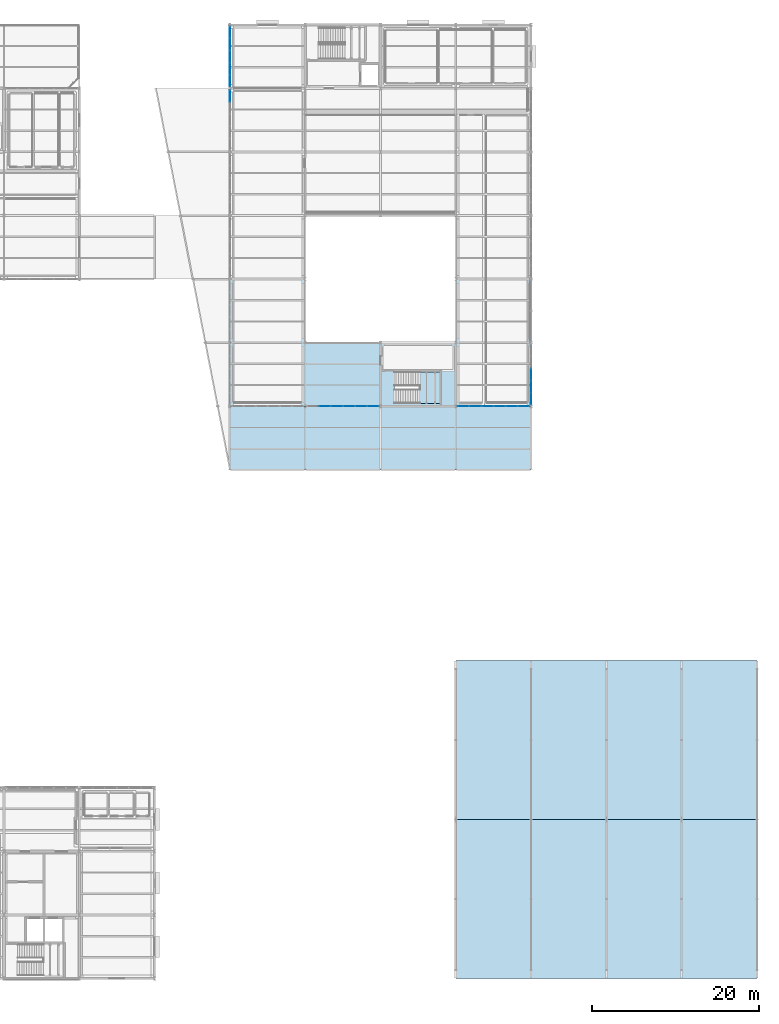
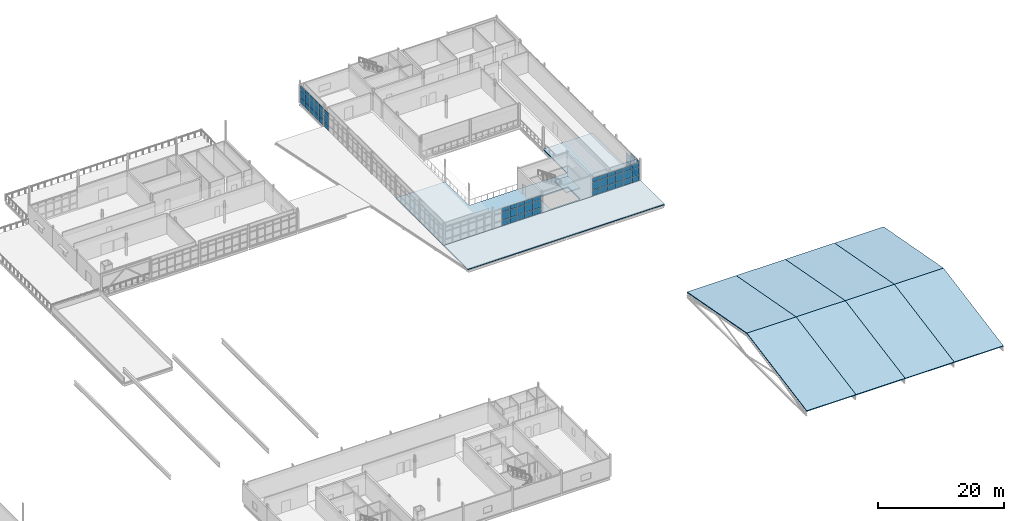
# One storey, part 73 of 96: 59 plates, 11 slabs, 6 elements without a shape of their own.
"""IFC4 building model written with IfcOpenShell, lengths in metres."""

from ifc_helpers import new_model, si_unit, direction, frame, origin, origin_2d, place, context, subcontext, project, spatial, polyline, rectangle, outline, extrude, material, layer, layer_set, type_object, element, aggregate, save


model = new_model("IFC4")

# Units and contexts
model_context = context("Model", 3, precision=1e-05, world=origin(), true_north=direction((0.0, 1.0)))
body_context = subcontext(model_context, "Body", "Model", "MODEL_VIEW")
ifc_project = project(units=[si_unit("LENGTHUNIT", "METRE"), si_unit("AREAUNIT", "SQUARE_METRE"), si_unit("VOLUMEUNIT", "CUBIC_METRE"), si_unit("PLANEANGLEUNIT", "RADIAN"), si_unit("MASSUNIT", "GRAM", prefix="KILO")], contexts=[model_context])

# Site, building, storey
site_placement = place(None, origin())
site = spatial("IfcSite", under=ifc_project, at=site_placement, CompositionType="ELEMENT")
building_placement = place(site_placement, origin())
building = spatial("IfcBuilding", under=site, at=building_placement, Name="Caisbarro Railhouse Central Library", CompositionType="ELEMENT")
storey_placement = place(building_placement, frame((0.0, 0.0, 13.679931640625)))
storey = spatial("IfcBuildingStorey", under=building, at=storey_placement, Name="L03", CompositionType="ELEMENT", Elevation=13.679931640625)

# Curtain wall, plates
ifc_material_1 = material(Name="Anodised architectural aluminium", Category="aluminium")
curtain_wall_type_1 = type_object("IfcCurtainWallType", Name="CW-CW03", PredefinedType="NOTDEFINED", material=ifc_material_1)
curtain_wall_1_placement = place(storey_placement, origin())
curtain_wall_1 = element("IfcCurtainWall", 1, at=curtain_wall_1_placement, inside=storey, type_object=curtain_wall_type_1, Name="CW03 curtain wall L03 #151", PredefinedType="NOTDEFINED")
ifc_material_2 = material(Name="Double low-e laminated solar-control glass", Category="glass")
ifc_layer_1 = layer(ifc_material_2, 0.01806640625, Name="Double low-e laminated solar-control glass")
ifc_layer_set_1 = layer_set([ifc_layer_1], Name="Double low-e laminated solar-control glass")
plate_type_1 = type_object("IfcPlateType", Name="CWP-CP18", PredefinedType="CURTAIN_PANEL", material=ifc_layer_set_1)
plate_1_placement = place(storey_placement, frame((153.0, 69.30419921875, 0.065185546875), z_axis=(0.0, 0.0, 1.0), x_axis=(0.0, 1.0, 0.0)))
plate_1 = element("IfcPlate", 2, at=plate_1_placement, type_object=plate_type_1, Name="CW03 panel 1.1", PredefinedType="CURTAIN_PANEL", context=body_context, shape_type="SweptSolid", body=[
    extrude(rectangle(XDim=1.3583984375, YDim=0.01806640625, at=origin_2d()), origin(), (0.0, 0.0, 1.0), 1.0224609375),
])
plate_2_placement = place(storey_placement, frame((153.0, 69.30419921875, 1.152587890625), z_axis=(0.0, 0.0, 1.0), x_axis=(0.0, 1.0, 0.0)))
plate_2 = element("IfcPlate", 3, at=plate_2_placement, type_object=plate_type_1, Name="CW03 panel 1.2", PredefinedType="CURTAIN_PANEL", context=body_context, shape_type="SweptSolid", body=[
    extrude(rectangle(XDim=1.3583984375, YDim=0.01806640625, at=origin_2d()), origin(), (0.0, 0.0, 1.0), 1.52490234375),
])
plate_3_placement = place(storey_placement, frame((153.0, 69.30419921875, 2.74267578125), z_axis=(0.0, 0.0, 1.0), x_axis=(0.0, 1.0, 0.0)))
plate_3 = element("IfcPlate", 4, at=plate_3_placement, type_object=plate_type_1, Name="CW03 panel 1.3", PredefinedType="CURTAIN_PANEL", context=body_context, shape_type="SweptSolid", body=[
    extrude(rectangle(XDim=1.3583984375, YDim=0.01806640625, at=origin_2d()), origin(), (0.0, 0.0, 1.0), 0.75244140625),
])
plate_4_placement = place(storey_placement, frame((153.0, 70.743896484375, 0.065185546875), z_axis=(0.0, 0.0, 1.0), x_axis=(0.0, 1.0, 0.0)))
plate_4 = element("IfcPlate", 5, at=plate_4_placement, type_object=plate_type_1, Name="CW03 panel 2.1", PredefinedType="CURTAIN_PANEL", context=body_context, shape_type="SweptSolid", body=[
    extrude(rectangle(XDim=1.39111328125, YDim=0.01806640625, at=origin_2d()), origin(), (0.0, 0.0, 1.0), 1.0224609375),
])
plate_5_placement = place(storey_placement, frame((153.0, 70.743896484375, 1.152587890625), z_axis=(0.0, 0.0, 1.0), x_axis=(0.0, 1.0, 0.0)))
plate_5 = element("IfcPlate", 6, at=plate_5_placement, type_object=plate_type_1, Name="CW03 panel 2.2", PredefinedType="CURTAIN_PANEL", context=body_context, shape_type="SweptSolid", body=[
    extrude(rectangle(XDim=1.39111328125, YDim=0.01806640625, at=origin_2d()), origin(), (0.0, 0.0, 1.0), 1.52490234375),
])
plate_6_placement = place(storey_placement, frame((153.0, 70.743896484375, 2.74267578125), z_axis=(0.0, 0.0, 1.0), x_axis=(0.0, 1.0, 0.0)))
plate_6 = element("IfcPlate", 7, at=plate_6_placement, type_object=plate_type_1, Name="CW03 panel 2.3", PredefinedType="CURTAIN_PANEL", context=body_context, shape_type="SweptSolid", body=[
    extrude(rectangle(XDim=1.39111328125, YDim=0.01806640625, at=origin_2d()), origin(), (0.0, 0.0, 1.0), 0.75244140625),
])
plate_7_placement = place(storey_placement, frame((153.0, 72.199951171875, 0.065185546875), z_axis=(0.0, 0.0, 1.0), x_axis=(0.0, 1.0, 0.0)))
plate_7 = element("IfcPlate", 8, at=plate_7_placement, type_object=plate_type_1, Name="CW03 panel 3.1", PredefinedType="CURTAIN_PANEL", context=body_context, shape_type="SweptSolid", body=[
    extrude(rectangle(XDim=1.39111328125, YDim=0.01806640625, at=origin_2d()), origin(), (0.0, 0.0, 1.0), 1.0224609375),
])
plate_8_placement = place(storey_placement, frame((153.0, 72.199951171875, 1.152587890625), z_axis=(0.0, 0.0, 1.0), x_axis=(0.0, 1.0, 0.0)))
plate_8 = element("IfcPlate", 9, at=plate_8_placement, type_object=plate_type_1, Name="CW03 panel 3.2", PredefinedType="CURTAIN_PANEL", context=body_context, shape_type="SweptSolid", body=[
    extrude(rectangle(XDim=1.39111328125, YDim=0.01806640625, at=origin_2d()), origin(), (0.0, 0.0, 1.0), 1.52490234375),
])
aggregate(curtain_wall_1, [plate_1, plate_2, plate_3, plate_4, plate_5, plate_6, plate_7, plate_8])

curtain_wall_type_2 = type_object("IfcCurtainWallType", Name="CW-CW02", PredefinedType="NOTDEFINED", material=ifc_material_1)
curtain_wall_2_placement = place(storey_placement, origin())
curtain_wall_2 = element("IfcCurtainWall", 10, at=curtain_wall_2_placement, inside=storey, type_object=curtain_wall_type_2, Name="CW02 curtain wall L03 #149", PredefinedType="NOTDEFINED")
ifc_layer_2 = layer(ifc_material_2, 0.028076171875, Name="Double low-e laminated solar-control glass")
ifc_layer_set_2 = layer_set([ifc_layer_2], Name="Double low-e laminated solar-control glass")
plate_type_2 = type_object("IfcPlateType", Name="CWP-CP28", PredefinedType="CURTAIN_PANEL", material=ifc_layer_set_2)
plate_9_placement = place(storey_placement, frame((128.330078125, 68.39990234375, 0.0751953125), z_axis=(0.0, 0.0, 1.0), x_axis=(1.0, 0.0, 0.0)))
plate_9 = element("IfcPlate", 11, at=plate_9_placement, type_object=plate_type_2, Name="CW02 panel 2.1", PredefinedType="CURTAIN_PANEL", context=body_context, shape_type="SweptSolid", body=[
    extrude(rectangle(XDim=1.37158203125, YDim=0.028076171875, at=origin_2d()), origin(), (0.0, 0.0, 1.0), 1.007568359375),
])
plate_10_placement = place(storey_placement, frame((128.330078125, 68.39990234375, 1.15771484375), z_axis=(0.0, 0.0, 1.0), x_axis=(1.0, 0.0, 0.0)))
plate_10 = element("IfcPlate", 12, at=plate_10_placement, type_object=plate_type_2, Name="CW02 panel 2.2", PredefinedType="CURTAIN_PANEL", context=body_context, shape_type="SweptSolid", body=[
    extrude(rectangle(XDim=1.37158203125, YDim=0.028076171875, at=origin_2d()), origin(), (0.0, 0.0, 1.0), 1.465087890625),
])
plate_11_placement = place(storey_placement, frame((128.330078125, 68.39990234375, 2.69775390625), z_axis=(0.0, 0.0, 1.0), x_axis=(1.0, 0.0, 0.0)))
plate_11 = element("IfcPlate", 13, at=plate_11_placement, type_object=plate_type_2, Name="CW02 panel 2.3", PredefinedType="CURTAIN_PANEL", context=body_context, shape_type="SweptSolid", body=[
    extrude(rectangle(XDim=1.37158203125, YDim=0.028076171875, at=origin_2d()), origin(), (0.0, 0.0, 1.0), 0.737548828125),
])
plate_12_placement = place(storey_placement, frame((129.776611328125, 68.39990234375, 0.0751953125), z_axis=(0.0, 0.0, 1.0), x_axis=(1.0, 0.0, 0.0)))
plate_12 = element("IfcPlate", 14, at=plate_12_placement, type_object=plate_type_2, Name="CW02 panel 3.1", PredefinedType="CURTAIN_PANEL", context=body_context, shape_type="SweptSolid", body=[
    extrude(rectangle(XDim=1.37158203125, YDim=0.028076171875, at=origin_2d()), origin(), (0.0, 0.0, 1.0), 1.007568359375),
])
plate_13_placement = place(storey_placement, frame((129.776611328125, 68.39990234375, 1.15771484375), z_axis=(0.0, 0.0, 1.0), x_axis=(1.0, 0.0, 0.0)))
plate_13 = element("IfcPlate", 15, at=plate_13_placement, type_object=plate_type_2, Name="CW02 panel 3.2", PredefinedType="CURTAIN_PANEL", context=body_context, shape_type="SweptSolid", body=[
    extrude(rectangle(XDim=1.37158203125, YDim=0.028076171875, at=origin_2d()), origin(), (0.0, 0.0, 1.0), 1.465087890625),
])
plate_14_placement = place(storey_placement, frame((129.776611328125, 68.39990234375, 2.69775390625), z_axis=(0.0, 0.0, 1.0), x_axis=(1.0, 0.0, 0.0)))
plate_14 = element("IfcPlate", 16, at=plate_14_placement, type_object=plate_type_2, Name="CW02 panel 3.3", PredefinedType="CURTAIN_PANEL", context=body_context, shape_type="SweptSolid", body=[
    extrude(rectangle(XDim=1.37158203125, YDim=0.028076171875, at=origin_2d()), origin(), (0.0, 0.0, 1.0), 0.737548828125),
])
plate_15_placement = place(storey_placement, frame((131.223388671875, 68.39990234375, 0.0751953125), z_axis=(0.0, 0.0, 1.0), x_axis=(1.0, 0.0, 0.0)))
plate_15 = element("IfcPlate", 17, at=plate_15_placement, type_object=plate_type_2, Name="CW02 panel 4.1", PredefinedType="CURTAIN_PANEL", context=body_context, shape_type="SweptSolid", body=[
    extrude(rectangle(XDim=1.37158203125, YDim=0.028076171875, at=origin_2d()), origin(), (0.0, 0.0, 1.0), 1.007568359375),
])
plate_16_placement = place(storey_placement, frame((131.223388671875, 68.39990234375, 1.15771484375), z_axis=(0.0, 0.0, 1.0), x_axis=(1.0, 0.0, 0.0)))
plate_16 = element("IfcPlate", 18, at=plate_16_placement, type_object=plate_type_2, Name="CW02 panel 4.2", PredefinedType="CURTAIN_PANEL", context=body_context, shape_type="SweptSolid", body=[
    extrude(rectangle(XDim=1.37158203125, YDim=0.028076171875, at=origin_2d()), origin(), (0.0, 0.0, 1.0), 1.465087890625),
])
plate_17_placement = place(storey_placement, frame((131.223388671875, 68.39990234375, 2.69775390625), z_axis=(0.0, 0.0, 1.0), x_axis=(1.0, 0.0, 0.0)))
plate_17 = element("IfcPlate", 19, at=plate_17_placement, type_object=plate_type_2, Name="CW02 panel 4.3", PredefinedType="CURTAIN_PANEL", context=body_context, shape_type="SweptSolid", body=[
    extrude(rectangle(XDim=1.37158203125, YDim=0.028076171875, at=origin_2d()), origin(), (0.0, 0.0, 1.0), 0.737548828125),
])
plate_18_placement = place(storey_placement, frame((132.669921875, 68.39990234375, 0.0751953125), z_axis=(0.0, 0.0, 1.0), x_axis=(1.0, 0.0, 0.0)))
plate_18 = element("IfcPlate", 20, at=plate_18_placement, type_object=plate_type_2, Name="CW02 panel 5.1", PredefinedType="CURTAIN_PANEL", context=body_context, shape_type="SweptSolid", body=[
    extrude(rectangle(XDim=1.37158203125, YDim=0.028076171875, at=origin_2d()), origin(), (0.0, 0.0, 1.0), 1.007568359375),
])
plate_19_placement = place(storey_placement, frame((132.669921875, 68.39990234375, 1.15771484375), z_axis=(0.0, 0.0, 1.0), x_axis=(1.0, 0.0, 0.0)))
plate_19 = element("IfcPlate", 21, at=plate_19_placement, type_object=plate_type_2, Name="CW02 panel 5.2", PredefinedType="CURTAIN_PANEL", context=body_context, shape_type="SweptSolid", body=[
    extrude(rectangle(XDim=1.37158203125, YDim=0.028076171875, at=origin_2d()), origin(), (0.0, 0.0, 1.0), 1.465087890625),
])
plate_20_placement = place(storey_placement, frame((132.669921875, 68.39990234375, 2.69775390625), z_axis=(0.0, 0.0, 1.0), x_axis=(1.0, 0.0, 0.0)))
plate_20 = element("IfcPlate", 22, at=plate_20_placement, type_object=plate_type_2, Name="CW02 panel 5.3", PredefinedType="CURTAIN_PANEL", context=body_context, shape_type="SweptSolid", body=[
    extrude(rectangle(XDim=1.37158203125, YDim=0.028076171875, at=origin_2d()), origin(), (0.0, 0.0, 1.0), 0.737548828125),
])
plate_21_placement = place(storey_placement, frame((134.097900390625, 68.39990234375, 0.0751953125), z_axis=(0.0, 0.0, 1.0), x_axis=(1.0, 0.0, 0.0)))
plate_21 = element("IfcPlate", 23, at=plate_21_placement, type_object=plate_type_2, Name="CW02 panel 6.1", PredefinedType="CURTAIN_PANEL", context=body_context, shape_type="SweptSolid", body=[
    extrude(rectangle(XDim=1.334228515625, YDim=0.028076171875, at=origin_2d()), origin(), (0.0, 0.0, 1.0), 1.007568359375),
])
plate_22_placement = place(storey_placement, frame((134.097900390625, 68.39990234375, 1.15771484375), z_axis=(0.0, 0.0, 1.0), x_axis=(1.0, 0.0, 0.0)))
plate_22 = element("IfcPlate", 24, at=plate_22_placement, type_object=plate_type_2, Name="CW02 panel 6.2", PredefinedType="CURTAIN_PANEL", context=body_context, shape_type="SweptSolid", body=[
    extrude(rectangle(XDim=1.334228515625, YDim=0.028076171875, at=origin_2d()), origin(), (0.0, 0.0, 1.0), 1.465087890625),
])
plate_23_placement = place(storey_placement, frame((134.097900390625, 68.39990234375, 2.69775390625), z_axis=(0.0, 0.0, 1.0), x_axis=(1.0, 0.0, 0.0)))
plate_23 = element("IfcPlate", 25, at=plate_23_placement, type_object=plate_type_2, Name="CW02 panel 6.3", PredefinedType="CURTAIN_PANEL", context=body_context, shape_type="SweptSolid", body=[
    extrude(rectangle(XDim=1.334228515625, YDim=0.028076171875, at=origin_2d()), origin(), (0.0, 0.0, 1.0), 0.737548828125),
])
aggregate(curtain_wall_2, [plate_9, plate_10, plate_11, plate_12, plate_13, plate_14, plate_15, plate_16, plate_17, plate_18, plate_19, plate_20, plate_21, plate_22, plate_23])

curtain_wall_3_placement = place(storey_placement, origin())
curtain_wall_3 = element("IfcCurtainWall", 26, at=curtain_wall_3_placement, inside=storey, type_object=curtain_wall_type_2, Name="CW02 curtain wall L03 #150", PredefinedType="NOTDEFINED")
plate_24_placement = place(storey_placement, frame((144.902099609375, 68.39990234375, 0.0751953125), z_axis=(0.0, 0.0, 1.0), x_axis=(1.0, 0.0, 0.0)))
plate_24 = element("IfcPlate", 27, at=plate_24_placement, type_object=plate_type_2, Name="CW02 panel 1.1", PredefinedType="CURTAIN_PANEL", context=body_context, shape_type="SweptSolid", body=[
    extrude(rectangle(XDim=1.334228515625, YDim=0.028076171875, at=origin_2d()), origin(), (0.0, 0.0, 1.0), 1.007568359375),
])
plate_25_placement = place(storey_placement, frame((144.902099609375, 68.39990234375, 1.15771484375), z_axis=(0.0, 0.0, 1.0), x_axis=(1.0, 0.0, 0.0)))
plate_25 = element("IfcPlate", 28, at=plate_25_placement, type_object=plate_type_2, Name="CW02 panel 1.2", PredefinedType="CURTAIN_PANEL", context=body_context, shape_type="SweptSolid", body=[
    extrude(rectangle(XDim=1.334228515625, YDim=0.028076171875, at=origin_2d()), origin(), (0.0, 0.0, 1.0), 1.465087890625),
])
plate_26_placement = place(storey_placement, frame((144.902099609375, 68.39990234375, 2.69775390625), z_axis=(0.0, 0.0, 1.0), x_axis=(1.0, 0.0, 0.0)))
plate_26 = element("IfcPlate", 29, at=plate_26_placement, type_object=plate_type_2, Name="CW02 panel 1.3", PredefinedType="CURTAIN_PANEL", context=body_context, shape_type="SweptSolid", body=[
    extrude(rectangle(XDim=1.334228515625, YDim=0.028076171875, at=origin_2d()), origin(), (0.0, 0.0, 1.0), 0.737548828125),
])
plate_27_placement = place(storey_placement, frame((146.330078125, 68.39990234375, 0.0751953125), z_axis=(0.0, 0.0, 1.0), x_axis=(1.0, 0.0, 0.0)))
plate_27 = element("IfcPlate", 30, at=plate_27_placement, type_object=plate_type_2, Name="CW02 panel 2.1", PredefinedType="CURTAIN_PANEL", context=body_context, shape_type="SweptSolid", body=[
    extrude(rectangle(XDim=1.37158203125, YDim=0.028076171875, at=origin_2d()), origin(), (0.0, 0.0, 1.0), 1.007568359375),
])
plate_28_placement = place(storey_placement, frame((146.330078125, 68.39990234375, 1.15771484375), z_axis=(0.0, 0.0, 1.0), x_axis=(1.0, 0.0, 0.0)))
plate_28 = element("IfcPlate", 31, at=plate_28_placement, type_object=plate_type_2, Name="CW02 panel 2.2", PredefinedType="CURTAIN_PANEL", context=body_context, shape_type="SweptSolid", body=[
    extrude(rectangle(XDim=1.37158203125, YDim=0.028076171875, at=origin_2d()), origin(), (0.0, 0.0, 1.0), 1.465087890625),
])
plate_29_placement = place(storey_placement, frame((146.330078125, 68.39990234375, 2.69775390625), z_axis=(0.0, 0.0, 1.0), x_axis=(1.0, 0.0, 0.0)))
plate_29 = element("IfcPlate", 32, at=plate_29_placement, type_object=plate_type_2, Name="CW02 panel 2.3", PredefinedType="CURTAIN_PANEL", context=body_context, shape_type="SweptSolid", body=[
    extrude(rectangle(XDim=1.37158203125, YDim=0.028076171875, at=origin_2d()), origin(), (0.0, 0.0, 1.0), 0.737548828125),
])
plate_30_placement = place(storey_placement, frame((147.776611328125, 68.39990234375, 0.0751953125), z_axis=(0.0, 0.0, 1.0), x_axis=(1.0, 0.0, 0.0)))
plate_30 = element("IfcPlate", 33, at=plate_30_placement, type_object=plate_type_2, Name="CW02 panel 3.1", PredefinedType="CURTAIN_PANEL", context=body_context, shape_type="SweptSolid", body=[
    extrude(rectangle(XDim=1.37158203125, YDim=0.028076171875, at=origin_2d()), origin(), (0.0, 0.0, 1.0), 1.007568359375),
])
plate_31_placement = place(storey_placement, frame((147.776611328125, 68.39990234375, 1.15771484375), z_axis=(0.0, 0.0, 1.0), x_axis=(1.0, 0.0, 0.0)))
plate_31 = element("IfcPlate", 34, at=plate_31_placement, type_object=plate_type_2, Name="CW02 panel 3.2", PredefinedType="CURTAIN_PANEL", context=body_context, shape_type="SweptSolid", body=[
    extrude(rectangle(XDim=1.37158203125, YDim=0.028076171875, at=origin_2d()), origin(), (0.0, 0.0, 1.0), 1.465087890625),
])
plate_32_placement = place(storey_placement, frame((147.776611328125, 68.39990234375, 2.69775390625), z_axis=(0.0, 0.0, 1.0), x_axis=(1.0, 0.0, 0.0)))
plate_32 = element("IfcPlate", 35, at=plate_32_placement, type_object=plate_type_2, Name="CW02 panel 3.3", PredefinedType="CURTAIN_PANEL", context=body_context, shape_type="SweptSolid", body=[
    extrude(rectangle(XDim=1.37158203125, YDim=0.028076171875, at=origin_2d()), origin(), (0.0, 0.0, 1.0), 0.737548828125),
])
plate_33_placement = place(storey_placement, frame((149.223388671875, 68.39990234375, 0.0751953125), z_axis=(0.0, 0.0, 1.0), x_axis=(1.0, 0.0, 0.0)))
plate_33 = element("IfcPlate", 36, at=plate_33_placement, type_object=plate_type_2, Name="CW02 panel 4.1", PredefinedType="CURTAIN_PANEL", context=body_context, shape_type="SweptSolid", body=[
    extrude(rectangle(XDim=1.37158203125, YDim=0.028076171875, at=origin_2d()), origin(), (0.0, 0.0, 1.0), 1.007568359375),
])
plate_34_placement = place(storey_placement, frame((149.223388671875, 68.39990234375, 1.15771484375), z_axis=(0.0, 0.0, 1.0), x_axis=(1.0, 0.0, 0.0)))
plate_34 = element("IfcPlate", 37, at=plate_34_placement, type_object=plate_type_2, Name="CW02 panel 4.2", PredefinedType="CURTAIN_PANEL", context=body_context, shape_type="SweptSolid", body=[
    extrude(rectangle(XDim=1.37158203125, YDim=0.028076171875, at=origin_2d()), origin(), (0.0, 0.0, 1.0), 1.465087890625),
])
plate_35_placement = place(storey_placement, frame((149.223388671875, 68.39990234375, 2.69775390625), z_axis=(0.0, 0.0, 1.0), x_axis=(1.0, 0.0, 0.0)))
plate_35 = element("IfcPlate", 38, at=plate_35_placement, type_object=plate_type_2, Name="CW02 panel 4.3", PredefinedType="CURTAIN_PANEL", context=body_context, shape_type="SweptSolid", body=[
    extrude(rectangle(XDim=1.37158203125, YDim=0.028076171875, at=origin_2d()), origin(), (0.0, 0.0, 1.0), 0.737548828125),
])
plate_36_placement = place(storey_placement, frame((150.669921875, 68.39990234375, 0.0751953125), z_axis=(0.0, 0.0, 1.0), x_axis=(1.0, 0.0, 0.0)))
plate_36 = element("IfcPlate", 39, at=plate_36_placement, type_object=plate_type_2, Name="CW02 panel 5.1", PredefinedType="CURTAIN_PANEL", context=body_context, shape_type="SweptSolid", body=[
    extrude(rectangle(XDim=1.37158203125, YDim=0.028076171875, at=origin_2d()), origin(), (0.0, 0.0, 1.0), 1.007568359375),
])
plate_37_placement = place(storey_placement, frame((150.669921875, 68.39990234375, 1.15771484375), z_axis=(0.0, 0.0, 1.0), x_axis=(1.0, 0.0, 0.0)))
plate_37 = element("IfcPlate", 40, at=plate_37_placement, type_object=plate_type_2, Name="CW02 panel 5.2", PredefinedType="CURTAIN_PANEL", context=body_context, shape_type="SweptSolid", body=[
    extrude(rectangle(XDim=1.37158203125, YDim=0.028076171875, at=origin_2d()), origin(), (0.0, 0.0, 1.0), 1.465087890625),
])
plate_38_placement = place(storey_placement, frame((150.669921875, 68.39990234375, 2.69775390625), z_axis=(0.0, 0.0, 1.0), x_axis=(1.0, 0.0, 0.0)))
plate_38 = element("IfcPlate", 41, at=plate_38_placement, type_object=plate_type_2, Name="CW02 panel 5.3", PredefinedType="CURTAIN_PANEL", context=body_context, shape_type="SweptSolid", body=[
    extrude(rectangle(XDim=1.37158203125, YDim=0.028076171875, at=origin_2d()), origin(), (0.0, 0.0, 1.0), 0.737548828125),
])
plate_39_placement = place(storey_placement, frame((152.097900390625, 68.39990234375, 0.0751953125), z_axis=(0.0, 0.0, 1.0), x_axis=(1.0, 0.0, 0.0)))
plate_39 = element("IfcPlate", 42, at=plate_39_placement, type_object=plate_type_2, Name="CW02 panel 6.1", PredefinedType="CURTAIN_PANEL", context=body_context, shape_type="SweptSolid", body=[
    extrude(rectangle(XDim=1.334228515625, YDim=0.028076171875, at=origin_2d()), origin(), (0.0, 0.0, 1.0), 1.007568359375),
])
plate_40_placement = place(storey_placement, frame((152.097900390625, 68.39990234375, 1.15771484375), z_axis=(0.0, 0.0, 1.0), x_axis=(1.0, 0.0, 0.0)))
plate_40 = element("IfcPlate", 43, at=plate_40_placement, type_object=plate_type_2, Name="CW02 panel 6.2", PredefinedType="CURTAIN_PANEL", context=body_context, shape_type="SweptSolid", body=[
    extrude(rectangle(XDim=1.334228515625, YDim=0.028076171875, at=origin_2d()), origin(), (0.0, 0.0, 1.0), 1.465087890625),
])
plate_41_placement = place(storey_placement, frame((152.097900390625, 68.39990234375, 2.69775390625), z_axis=(0.0, 0.0, 1.0), x_axis=(1.0, 0.0, 0.0)))
plate_41 = element("IfcPlate", 44, at=plate_41_placement, type_object=plate_type_2, Name="CW02 panel 6.3", PredefinedType="CURTAIN_PANEL", context=body_context, shape_type="SweptSolid", body=[
    extrude(rectangle(XDim=1.334228515625, YDim=0.028076171875, at=origin_2d()), origin(), (0.0, 0.0, 1.0), 0.737548828125),
])
aggregate(curtain_wall_3, [plate_24, plate_25, plate_26, plate_27, plate_28, plate_29, plate_30, plate_31, plate_32, plate_33, plate_34, plate_35, plate_36, plate_37, plate_38, plate_39, plate_40, plate_41])

curtain_wall_4_placement = place(storey_placement, origin())
curtain_wall_4 = element("IfcCurtainWall", 45, at=curtain_wall_4_placement, inside=storey, type_object=curtain_wall_type_2, Name="CW02 curtain wall L03 #146", PredefinedType="NOTDEFINED")
ifc_layer_3 = layer(ifc_material_2, 0.05810546875, Name="Double low-e laminated solar-control glass")
ifc_layer_set_3 = layer_set([ifc_layer_3], Name="Double low-e laminated solar-control glass")
plate_type_3 = type_object("IfcPlateType", Name="CWP-CP58", PredefinedType="CURTAIN_PANEL", material=ifc_layer_set_3)
plate_42_placement = place(storey_placement, frame((117.0, 105.495849609375, 0.0751953125), z_axis=(0.0, 0.0, 1.0), x_axis=(0.0, 1.0, 0.0)))
plate_42 = element("IfcPlate", 46, at=plate_42_placement, type_object=plate_type_3, Name="CW02 panel 5.1", PredefinedType="CURTAIN_PANEL", context=body_context, shape_type="SweptSolid", body=[
    extrude(rectangle(XDim=1.3583984375, YDim=0.05810546875, at=origin_2d()), origin(), (0.0, 0.0, 1.0), 1.007568359375),
])
plate_43_placement = place(storey_placement, frame((117.0, 105.495849609375, 1.15771484375), z_axis=(0.0, 0.0, 1.0), x_axis=(0.0, 1.0, 0.0)))
plate_43 = element("IfcPlate", 47, at=plate_43_placement, type_object=plate_type_3, Name="CW02 panel 5.2", PredefinedType="CURTAIN_PANEL", context=body_context, shape_type="SweptSolid", body=[
    extrude(rectangle(XDim=1.3583984375, YDim=0.05810546875, at=origin_2d()), origin(), (0.0, 0.0, 1.0), 1.514892578125),
])
plate_44_placement = place(storey_placement, frame((117.0, 105.495849609375, 2.74755859375), z_axis=(0.0, 0.0, 1.0), x_axis=(0.0, 1.0, 0.0)))
plate_44 = element("IfcPlate", 48, at=plate_44_placement, type_object=plate_type_3, Name="CW02 panel 5.3", PredefinedType="CURTAIN_PANEL", context=body_context, shape_type="SweptSolid", body=[
    extrude(rectangle(XDim=1.3583984375, YDim=0.05810546875, at=origin_2d()), origin(), (0.0, 0.0, 1.0), 0.737548828125),
])
aggregate(curtain_wall_4, [plate_42, plate_43, plate_44])

curtain_wall_5_placement = place(storey_placement, origin())
curtain_wall_5 = element("IfcCurtainWall", 49, at=curtain_wall_5_placement, inside=storey, type_object=curtain_wall_type_2, Name="CW02 curtain wall L03 #147", PredefinedType="NOTDEFINED")
ifc_layer_4 = layer(ifc_material_2, 0.068115234375, Name="Double low-e laminated solar-control glass")
ifc_layer_set_4 = layer_set([ifc_layer_4], Name="Double low-e laminated solar-control glass")
plate_type_4 = type_object("IfcPlateType", Name="CWP-CP68", PredefinedType="CURTAIN_PANEL", material=ifc_layer_set_4)
plate_45_placement = place(storey_placement, frame((117.0, 107.30419921875, 0.0751953125), z_axis=(0.0, 0.0, 1.0), x_axis=(0.0, 1.0, 0.0)))
plate_45 = element("IfcPlate", 50, at=plate_45_placement, type_object=plate_type_4, Name="CW02 panel 1.1", PredefinedType="CURTAIN_PANEL", context=body_context, shape_type="SweptSolid", body=[
    extrude(rectangle(XDim=1.3583984375, YDim=0.068115234375, at=origin_2d()), origin(), (0.0, 0.0, 1.0), 1.007568359375),
])
plate_46_placement = place(storey_placement, frame((117.0, 107.30419921875, 1.15771484375), z_axis=(0.0, 0.0, 1.0), x_axis=(0.0, 1.0, 0.0)))
plate_46 = element("IfcPlate", 51, at=plate_46_placement, type_object=plate_type_4, Name="CW02 panel 1.2", PredefinedType="CURTAIN_PANEL", context=body_context, shape_type="SweptSolid", body=[
    extrude(rectangle(XDim=1.3583984375, YDim=0.068115234375, at=origin_2d()), origin(), (0.0, 0.0, 1.0), 1.514892578125),
])
plate_47_placement = place(storey_placement, frame((117.0, 107.30419921875, 2.74755859375), z_axis=(0.0, 0.0, 1.0), x_axis=(0.0, 1.0, 0.0)))
plate_47 = element("IfcPlate", 52, at=plate_47_placement, type_object=plate_type_4, Name="CW02 panel 1.3", PredefinedType="CURTAIN_PANEL", context=body_context, shape_type="SweptSolid", body=[
    extrude(rectangle(XDim=1.3583984375, YDim=0.068115234375, at=origin_2d()), origin(), (0.0, 0.0, 1.0), 0.737548828125),
])
plate_48_placement = place(storey_placement, frame((117.0, 108.743896484375, 0.0751953125), z_axis=(0.0, 0.0, 1.0), x_axis=(0.0, 1.0, 0.0)))
plate_48 = element("IfcPlate", 53, at=plate_48_placement, type_object=plate_type_4, Name="CW02 panel 2.1", PredefinedType="CURTAIN_PANEL", context=body_context, shape_type="SweptSolid", body=[
    extrude(rectangle(XDim=1.39111328125, YDim=0.068115234375, at=origin_2d()), origin(), (0.0, 0.0, 1.0), 1.007568359375),
])
plate_49_placement = place(storey_placement, frame((117.0, 108.743896484375, 1.15771484375), z_axis=(0.0, 0.0, 1.0), x_axis=(0.0, 1.0, 0.0)))
plate_49 = element("IfcPlate", 54, at=plate_49_placement, type_object=plate_type_4, Name="CW02 panel 2.2", PredefinedType="CURTAIN_PANEL", context=body_context, shape_type="SweptSolid", body=[
    extrude(rectangle(XDim=1.39111328125, YDim=0.068115234375, at=origin_2d()), origin(), (0.0, 0.0, 1.0), 1.514892578125),
])
plate_50_placement = place(storey_placement, frame((117.0, 108.743896484375, 2.74755859375), z_axis=(0.0, 0.0, 1.0), x_axis=(0.0, 1.0, 0.0)))
plate_50 = element("IfcPlate", 55, at=plate_50_placement, type_object=plate_type_4, Name="CW02 panel 2.3", PredefinedType="CURTAIN_PANEL", context=body_context, shape_type="SweptSolid", body=[
    extrude(rectangle(XDim=1.39111328125, YDim=0.068115234375, at=origin_2d()), origin(), (0.0, 0.0, 1.0), 0.737548828125),
])
plate_51_placement = place(storey_placement, frame((117.0, 110.199951171875, 0.0751953125), z_axis=(0.0, 0.0, 1.0), x_axis=(0.0, 1.0, 0.0)))
plate_51 = element("IfcPlate", 56, at=plate_51_placement, type_object=plate_type_4, Name="CW02 panel 3.1", PredefinedType="CURTAIN_PANEL", context=body_context, shape_type="SweptSolid", body=[
    extrude(rectangle(XDim=1.39111328125, YDim=0.068115234375, at=origin_2d()), origin(), (0.0, 0.0, 1.0), 1.007568359375),
])
plate_52_placement = place(storey_placement, frame((117.0, 110.199951171875, 1.15771484375), z_axis=(0.0, 0.0, 1.0), x_axis=(0.0, 1.0, 0.0)))
plate_52 = element("IfcPlate", 57, at=plate_52_placement, type_object=plate_type_4, Name="CW02 panel 3.2", PredefinedType="CURTAIN_PANEL", context=body_context, shape_type="SweptSolid", body=[
    extrude(rectangle(XDim=1.39111328125, YDim=0.068115234375, at=origin_2d()), origin(), (0.0, 0.0, 1.0), 1.514892578125),
])
plate_53_placement = place(storey_placement, frame((117.0, 110.199951171875, 2.74755859375), z_axis=(0.0, 0.0, 1.0), x_axis=(0.0, 1.0, 0.0)))
plate_53 = element("IfcPlate", 58, at=plate_53_placement, type_object=plate_type_4, Name="CW02 panel 3.3", PredefinedType="CURTAIN_PANEL", context=body_context, shape_type="SweptSolid", body=[
    extrude(rectangle(XDim=1.39111328125, YDim=0.068115234375, at=origin_2d()), origin(), (0.0, 0.0, 1.0), 0.737548828125),
])
plate_54_placement = place(storey_placement, frame((117.0, 111.656005859375, 0.0751953125), z_axis=(0.0, 0.0, 1.0), x_axis=(0.0, 1.0, 0.0)))
plate_54 = element("IfcPlate", 59, at=plate_54_placement, type_object=plate_type_4, Name="CW02 panel 4.1", PredefinedType="CURTAIN_PANEL", context=body_context, shape_type="SweptSolid", body=[
    extrude(rectangle(XDim=1.39111328125, YDim=0.068115234375, at=origin_2d()), origin(), (0.0, 0.0, 1.0), 1.007568359375),
])
plate_55_placement = place(storey_placement, frame((117.0, 111.656005859375, 1.15771484375), z_axis=(0.0, 0.0, 1.0), x_axis=(0.0, 1.0, 0.0)))
plate_55 = element("IfcPlate", 60, at=plate_55_placement, type_object=plate_type_4, Name="CW02 panel 4.2", PredefinedType="CURTAIN_PANEL", context=body_context, shape_type="SweptSolid", body=[
    extrude(rectangle(XDim=1.39111328125, YDim=0.068115234375, at=origin_2d()), origin(), (0.0, 0.0, 1.0), 1.514892578125),
])
plate_56_placement = place(storey_placement, frame((117.0, 111.656005859375, 2.74755859375), z_axis=(0.0, 0.0, 1.0), x_axis=(0.0, 1.0, 0.0)))
plate_56 = element("IfcPlate", 61, at=plate_56_placement, type_object=plate_type_4, Name="CW02 panel 4.3", PredefinedType="CURTAIN_PANEL", context=body_context, shape_type="SweptSolid", body=[
    extrude(rectangle(XDim=1.39111328125, YDim=0.068115234375, at=origin_2d()), origin(), (0.0, 0.0, 1.0), 0.737548828125),
])
plate_57_placement = place(storey_placement, frame((117.0, 113.095703125, 0.0751953125), z_axis=(0.0, 0.0, 1.0), x_axis=(0.0, 1.0, 0.0)))
plate_57 = element("IfcPlate", 62, at=plate_57_placement, type_object=plate_type_4, Name="CW02 panel 5.1", PredefinedType="CURTAIN_PANEL", context=body_context, shape_type="SweptSolid", body=[
    extrude(rectangle(XDim=1.3583984375, YDim=0.068115234375, at=origin_2d()), origin(), (0.0, 0.0, 1.0), 1.007568359375),
])
plate_58_placement = place(storey_placement, frame((117.0, 113.095703125, 1.15771484375), z_axis=(0.0, 0.0, 1.0), x_axis=(0.0, 1.0, 0.0)))
plate_58 = element("IfcPlate", 63, at=plate_58_placement, type_object=plate_type_4, Name="CW02 panel 5.2", PredefinedType="CURTAIN_PANEL", context=body_context, shape_type="SweptSolid", body=[
    extrude(rectangle(XDim=1.3583984375, YDim=0.068115234375, at=origin_2d()), origin(), (0.0, 0.0, 1.0), 1.514892578125),
])
plate_59_placement = place(storey_placement, frame((117.0, 113.095703125, 2.74755859375), z_axis=(0.0, 0.0, 1.0), x_axis=(0.0, 1.0, 0.0)))
plate_59 = element("IfcPlate", 64, at=plate_59_placement, type_object=plate_type_4, Name="CW02 panel 5.3", PredefinedType="CURTAIN_PANEL", context=body_context, shape_type="SweptSolid", body=[
    extrude(rectangle(XDim=1.3583984375, YDim=0.068115234375, at=origin_2d()), origin(), (0.0, 0.0, 1.0), 0.737548828125),
])
aggregate(curtain_wall_5, [plate_45, plate_46, plate_47, plate_48, plate_49, plate_50, plate_51, plate_52, plate_53, plate_54, plate_55, plate_56, plate_57, plate_58, plate_59])

# Slab
ifc_material_3 = material(Name="Concrete C35", Category="concrete")
ifc_layer_5 = layer(ifc_material_3, 0.219970703125, Name="Concrete C35")
ifc_layer_set_5 = layer_set([ifc_layer_5], Name="Concrete C35")
slab_type_1 = type_object("IfcSlabType", Name="SLB-FL22", PredefinedType="FLOOR", material=ifc_layer_set_5)
slab_1_placement = place(storey_placement, frame((0.0, 0.0, -0.219970703125)))
element("IfcSlab", 65, at=slab_1_placement, inside=storey, type_object=slab_type_1, Name="SF22 structural slab L03 V4.1", PredefinedType="FLOOR", context=body_context, shape_type="SweptSolid", body=[
    extrude(outline(polyline([(117.0, 68.39990234375), (153.0, 68.39990234375), (153.0, 83.60009765625), (144.0, 83.60009765625), (144.0, 76.0), (126.0, 76.0), (126.0, 83.60009765625), (117.0, 83.60009765625), (117.0, 68.39990234375)]), holes=[polyline([(136.64990234375, 68.699951171875), (142.14990234375, 68.699951171875), (142.14990234375, 72.550048828125), (136.64990234375, 72.550048828125), (136.64990234375, 68.699951171875)])]), origin(), (0.0, 0.0, 1.0), 0.219970703125),
])

# Stair, slab
stair_type = type_object("IfcStairType", Name="STR-ST43A", PredefinedType="HALF_TURN_STAIR", material=ifc_material_3)
stair_placement = place(storey_placement, origin())
stair = element("IfcStair", 66, at=stair_placement, inside=storey, type_object=stair_type, Name="Protected Stair ST-07 (L03)", PredefinedType="HALF_TURN_STAIR")
ifc_layer_6 = layer(ifc_material_3, 0.18994140625, Name="Concrete C35")
ifc_layer_set_6 = layer_set([ifc_layer_6], Name="Concrete C35")
slab_type_2 = type_object("IfcSlabType", Name="SLB-LND19", PredefinedType="LANDING", material=ifc_layer_set_6)
slab_2_placement = place(storey_placement, frame((0.0, 0.0, 1.969970703125)))
slab_2 = element("IfcSlab", 67, at=slab_2_placement, type_object=slab_type_2, Name="ST-07 landing 1", PredefinedType="LANDING", context=body_context, shape_type="SweptSolid", body=[
    extrude(outline(polyline([(139.6201171875, 68.739990234375), (142.1201171875, 68.739990234375), (142.1201171875, 72.510009765625), (139.6201171875, 72.510009765625), (139.6201171875, 68.739990234375)])), origin(), (0.0, 0.0, 1.0), 0.190185546875),
])
aggregate(stair, [slab_2])

# Slabs
ifc_layer_7 = layer(ifc_material_3, 0.179931640625, Name="Concrete C35")
ifc_layer_set_7 = layer_set([ifc_layer_7], Name="Concrete C35")
slab_type_3 = type_object("IfcSlabType", Name="SLB-RF18", PredefinedType="ROOF", material=ifc_layer_set_7)
for number, where, z_axis, x_axis, name in (
    (68, (144.0, 0.0, 0.0), (0.0, -0.182164362931, 0.983268094101), (1.0, 0.0, 0.0), "V3 Auditorium Faceted Roof South 1"),
    (69, (144.0, 19.0, 3.52001953125), (0.0, 0.182164362931, 0.983268094101), (1.0, 0.0, 0.0), "V3 Auditorium Faceted Roof North 1"),
    (70, (153.0, 0.0, 0.0), (0.0, -0.182164362931, 0.983268094101), (1.0, 0.0, 0.0), "V3 Auditorium Faceted Roof South 2"),
    (71, (153.0, 19.0, 3.52001953125), (0.0, 0.182164362931, 0.983268094101), (1.0, 0.0, 0.0), "V3 Auditorium Faceted Roof North 2"),
    (72, (162.0, 0.0, 0.0), (0.0, -0.182164362931, 0.983268094101), (1.0, 0.0, 0.0), "V3 Auditorium Faceted Roof South 3"),
    (73, (162.0, 19.0, 3.52001953125), (0.0, 0.182164362931, 0.983268094101), (1.0, 0.0, 0.0), "V3 Auditorium Faceted Roof North 3"),
    (74, (171.0, 0.0, 0.0), (0.0, -0.182164362931, 0.983268094101), (1.0, 0.0, 0.0), "V3 Auditorium Faceted Roof South 4"),
    (75, (171.0, 19.0, 3.52001953125), (0.0, 0.182164362931, 0.983268094101), (1.0, 0.0, 0.0), "V3 Auditorium Faceted Roof North 4"),
):
    element("IfcSlab", number, at=place(storey_placement, frame(where, z_axis=z_axis, x_axis=x_axis)), inside=storey, type_object=slab_type_3, Name=name, PredefinedType="ROOF", context=body_context, shape_type="SweptSolid", body=[
        extrude(outline(polyline([(0.0, 0.0), (9.0, 0.0), (9.0, 19.323315903342817), (0.0, 19.323315903342817), (0.0, 0.0)])), origin(), (0.0, 0.0, -1.0), 0.179931640625),
    ])
slab_3_placement = place(storey_placement, frame((0.0, 0.0, -0.179931640625)))
element("IfcSlab", 76, at=slab_3_placement, inside=storey, type_object=slab_type_3, Name="V4 South Setback Roof Slab", PredefinedType="ROOF", context=body_context, shape_type="SweptSolid", body=[
    extrude(outline(polyline([(117.0, 60.800048828125), (153.0, 60.800048828125), (153.0, 68.39990234375), (117.0, 68.39990234375), (117.0, 60.800048828125)])), origin(), (0.0, 0.0, 1.0), 0.179931640625),
])

save(model, "model.ifc")
